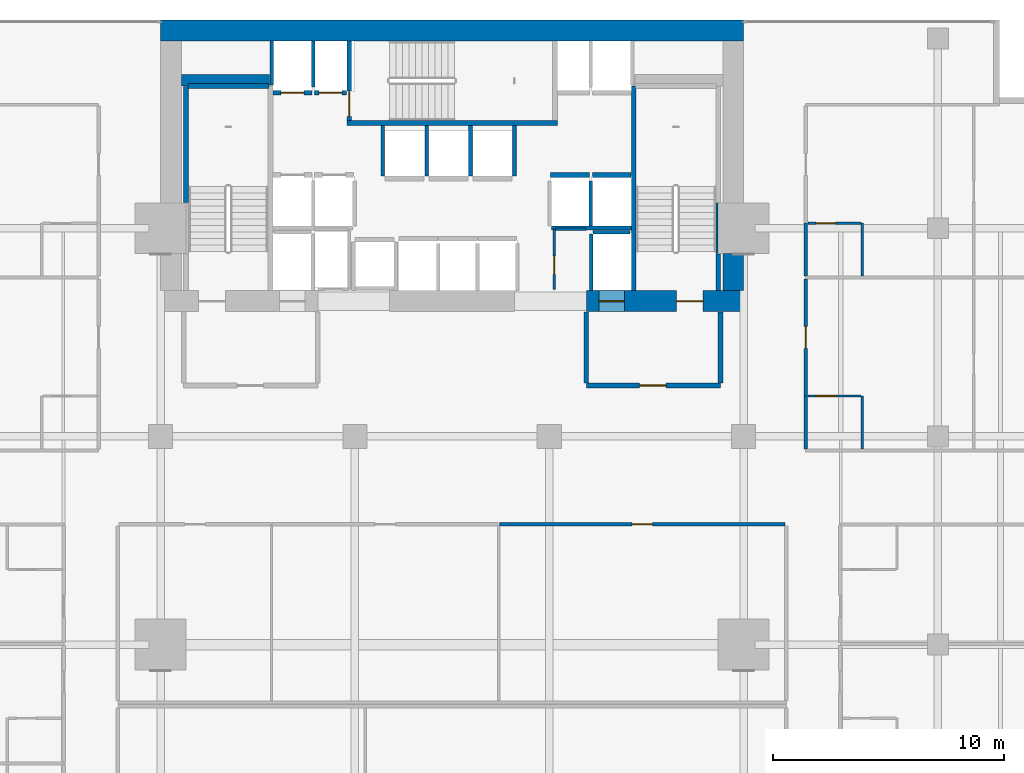
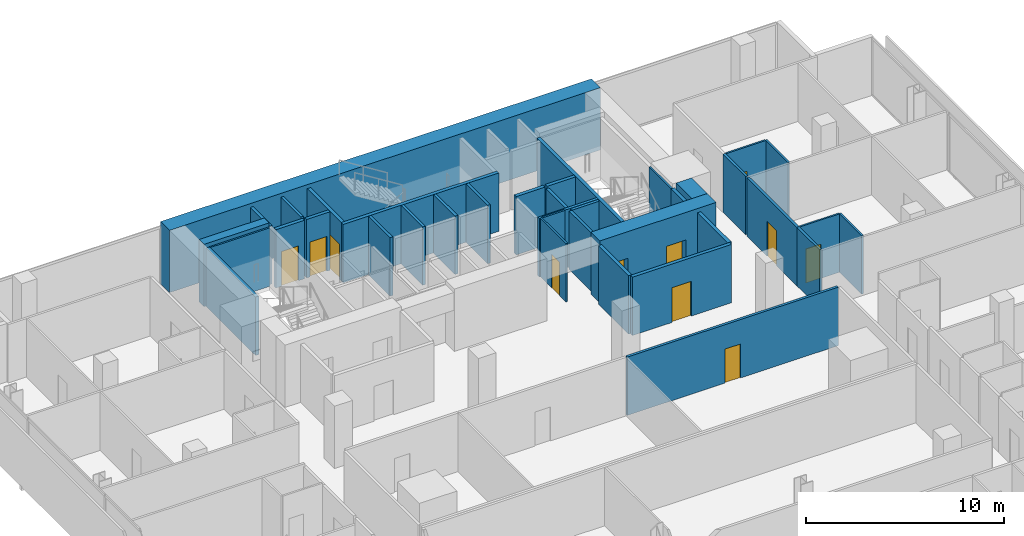
# One storey, part 36 of 39: 38 walls, 11 doors, 11 openings.
"""IFC4 building model written with IfcOpenShell, lengths in metres."""

from ifc_helpers import new_model, si_unit, direction, frame, frame_2d, origin, place, context, subcontext, project, spatial, rectangle, extrude, material, layer, layer_set, type_object, element, fill, save


model = new_model("IFC4")

# Units and contexts
model_context = context("Model", 3, precision=1e-05, world=origin(), true_north=direction((0.0, 1.0)))
body_context = subcontext(model_context, "Body", "Model", "MODEL_VIEW")
ifc_project = project(units=[si_unit("LENGTHUNIT", "METRE"), si_unit("AREAUNIT", "SQUARE_METRE"), si_unit("VOLUMEUNIT", "CUBIC_METRE"), si_unit("PLANEANGLEUNIT", "RADIAN"), si_unit("MASSUNIT", "GRAM", prefix="KILO")], contexts=[model_context])

# Site, building, storey
site_placement = place(None, origin())
site = spatial("IfcSite", under=ifc_project, at=site_placement, CompositionType="ELEMENT")
building_placement = place(site_placement, origin())
building = spatial("IfcBuilding", under=site, at=building_placement, Name="Maruvema Waterfront Hotel and Observation Tower", CompositionType="ELEMENT")
storey_placement = place(building_placement, frame((0.0, 0.0, 46.199951171875)))
storey = spatial("IfcBuildingStorey", under=building, at=storey_placement, Name="L10", CompositionType="ELEMENT", Elevation=46.199951171875)

# Wall, opening, door
ifc_material_1 = material(Name="Twin-stud acoustic gypsum drywall", Category="gypsum")
ifc_layer_1 = layer(ifc_material_1, 0.14990234375, Name="Acoustic Corridor and Suite Demising Wall 150 mm")
ifc_layer_set_1 = layer_set([ifc_layer_1], Name="Twin-stud acoustic gypsum drywall")
wall_type_1 = type_object("IfcWallType", Name="Acoustic Corridor and Suite Demising Wall 150 mm", PredefinedType="PARTITIONING", material=ifc_layer_set_1)
wall_1_placement = place(storey_placement, frame((39.85302734375, 32.199951171875, 0.0), z_axis=(0.0, 0.0, 1.0), x_axis=(1.0, 0.0, 0.0)))
wall_1 = element("IfcWall", 1, at=wall_1_placement, inside=storey, type_object=wall_type_1, Name="L10 L10-INTN Front 3 019", PredefinedType="PARTITIONING", context=body_context, shape_type="SweptSolid", body=[
    extrude(rectangle(XDim=12.3369140625, YDim=0.14990234375, at=frame_2d((6.16845703125, 0.0))), origin(), (0.0, 0.0, 1.0), 3.610107421875),
])
opening_1_placement = place(wall_1_placement, frame((5.718505859375, 0.0, 0.0)))
opening_1 = element("IfcOpeningElement", 2, at=opening_1_placement, cuts=wall_1, Name="Opening DR-090", PredefinedType="OPENING", context=body_context, shape_type="SweptSolid", body=[
    extrude(rectangle(XDim=0.89990234375, YDim=2.10009765625, at=frame_2d((0.449951171875, 1.050048828125))), frame((0.0, 0.0849609375, 0.0), z_axis=(0.0, -1.0, 0.0), x_axis=(1.0, 0.0, 0.0)), (0.0, 0.0, 1.0), 0.169921875),
])
ifc_material_2 = material(Name="Solid-core lacquered timber leaf", Category="wood")
door_type_1 = type_object("IfcDoorType", Name="Accessible Toilet and Room Door 900x2100 mm", OperationType="NOTDEFINED", PredefinedType="DOOR", material=ifc_material_2)
door_1_placement = place(opening_1_placement, origin())
door_1 = element("IfcDoor", 3, at=door_1_placement, inside=storey, type_object=door_type_1, Name="L10 Butler Kitchenette Door", OperationType="SINGLE_SWING_LEFT", OverallHeight=2.10009765625, OverallWidth=0.89990234375, PredefinedType="DOOR", context=body_context, shape_type="SweptSolid", body=[
    extrude(rectangle(XDim=0.89990234375, YDim=2.10009765625, at=frame_2d((0.449951171875, 1.050048828125))), frame((0.0, 0.02490234375, 0.0), z_axis=(0.0, -1.0, 0.0), x_axis=(1.0, 0.0, 0.0)), (0.0, 0.0, 1.0), 0.050048828125),
])
fill(opening_1, door_1)

# Wall
wall_2_placement = place(storey_placement, frame((53.080078125, 35.4599609375, 0.0), z_axis=(0.0, 0.0, 1.0), x_axis=(0.0, 1.0, 0.0)))
element("IfcWall", 4, at=wall_2_placement, inside=storey, type_object=wall_type_1, Name="L10 Bath L10-NE1 Wall 096", PredefinedType="PARTITIONING", context=body_context, shape_type="SweptSolid", body=[
    extrude(rectangle(XDim=2.2900390625, YDim=0.14990234375, at=frame_2d((1.14501953125, 0.0))), origin(), (0.0, 0.0, 1.0), 3.610107421875),
])

# Wall, opening, door
wall_3_placement = place(storey_placement, frame((53.080078125, 37.75, 0.0), z_axis=(0.0, 0.0, 1.0), x_axis=(0.0, 1.0, 0.0)))
wall_3 = element("IfcWall", 5, at=wall_3_placement, inside=storey, type_object=wall_type_1, Name="L10 Room L10-NE1 Corridor Wall 097", PredefinedType="PARTITIONING", context=body_context, shape_type="SweptSolid", body=[
    extrude(rectangle(XDim=5.05859375, YDim=0.14990234375, at=frame_2d((2.529296875, 0.0))), origin(), (0.0, 0.0, 1.0), 3.610107421875),
])
opening_2_placement = place(wall_3_placement, frame((2.054443359375, 0.0, 0.0)))
opening_2 = element("IfcOpeningElement", 6, at=opening_2_placement, cuts=wall_3, Name="Opening DR-095", PredefinedType="OPENING", context=body_context, shape_type="SweptSolid", body=[
    extrude(rectangle(XDim=0.949951171875, YDim=2.14990234375, at=frame_2d((0.47509765625, 1.074951171875))), frame((0.0, 0.0849609375, 0.0), z_axis=(0.0, -1.0, 0.0), x_axis=(1.0, 0.0, 0.0)), (0.0, 0.0, 1.0), 0.169921875),
])
ifc_material_3 = material(Name="Acoustic solid-core hardwood timber leaf", Category="wood")
door_type_2 = type_object("IfcDoorType", Name="Guestroom Entrance Fire Door 950x2150 mm", OperationType="NOTDEFINED", PredefinedType="DOOR", material=ifc_material_3)
door_2_placement = place(opening_2_placement, frame((0.949951171875, 0.0, 0.0), z_axis=(0.0, 0.0, 1.0), x_axis=(-1.0, 0.0, 0.0)))
door_2 = element("IfcDoor", 7, at=door_2_placement, inside=storey, type_object=door_type_2, Name="L10 Room L10-NE1 Entrance Door", OperationType="SINGLE_SWING_RIGHT", OverallHeight=2.14990234375, OverallWidth=0.949951171875, PredefinedType="DOOR", context=body_context, shape_type="SweptSolid", body=[
    extrude(rectangle(XDim=0.949951171875, YDim=2.14990234375, at=frame_2d((0.47509765625, 1.074951171875))), frame((0.0, 0.02490234375, 0.0), z_axis=(0.0, -1.0, 0.0), x_axis=(1.0, 0.0, 0.0)), (0.0, 0.0, 1.0), 0.050048828125),
])
fill(opening_2, door_2)

# Walls
wall_4_placement = place(storey_placement, frame((53.080078125, 42.9287109375, 0.0), z_axis=(0.0, 0.0, 1.0), x_axis=(0.0, 1.0, 0.0)))
element("IfcWall", 8, at=wall_4_placement, inside=storey, type_object=wall_type_1, Name="L10 Bath L10-NE2 Wall 108", PredefinedType="PARTITIONING", context=body_context, shape_type="SweptSolid", body=[
    extrude(rectangle(XDim=2.2900390625, YDim=0.14990234375, at=frame_2d((1.14501953125, 0.0))), origin(), (0.0, 0.0, 1.0), 3.610107421875),
])
ifc_material_4 = material(Name="Precast concrete C45/55", Category="concrete")
ifc_layer_2 = layer(ifc_material_4, 0.199951171875, Name="Core Shaft and Stairwell Enclosure Wall 200 mm")
ifc_layer_set_2 = layer_set([ifc_layer_2], Name="Precast concrete C45/55")
wall_type_2 = type_object("IfcWallType", Name="Core Shaft and Stairwell Enclosure Wall 200 mm", PredefinedType="SOLIDWALL", material=ifc_layer_set_2)
wall_5_placement = place(storey_placement, frame((26.300048828125, 46.1201171875, 0.0), z_axis=(0.0, 0.0, 1.0), x_axis=(0.0, 1.0, 0.0)))
element("IfcWall", 9, at=wall_5_placement, inside=storey, type_object=wall_type_2, Name="L10 Stairwell ST-01 Shaft Lining Wall", PredefinedType="SOLIDWALL", context=body_context, shape_type="SweptSolid", body=[
    extrude(rectangle(XDim=5.0, YDim=0.199951171875, at=frame_2d((2.5, 0.0))), origin(), (0.0, 0.0, 1.0), 3.610107421875),
])
wall_6_placement = place(storey_placement, frame((26.3798828125, 51.14990234375, 0.0), z_axis=(0.0, 0.0, 1.0), x_axis=(1.0, 0.0, 0.0)))
element("IfcWall", 10, at=wall_6_placement, inside=storey, type_object=wall_type_2, Name="L10 Stairwell ST-01 Shaft Lining Wall", PredefinedType="SOLIDWALL", context=body_context, shape_type="SweptSolid", body=[
    extrude(rectangle(XDim=3.5, YDim=0.199951171875, at=frame_2d((1.75, 0.0))), origin(), (0.0, 0.0, 1.0), 3.610107421875),
])
wall_7_placement = place(storey_placement, frame((33.25, 49.550048828125, 0.0), z_axis=(0.0, 0.0, 1.0), x_axis=(1.0, 0.0, 0.0)))
element("IfcWall", 11, at=wall_7_placement, inside=storey, type_object=wall_type_2, Name="L10 Stairwell ST-02 Shaft Wall", PredefinedType="SOLIDWALL", context=body_context, shape_type="SweptSolid", body=[
    extrude(rectangle(XDim=9.10009765625, YDim=0.199951171875, at=frame_2d((4.550048828125, 0.0))), origin(), (0.0, 0.0, 1.0), 3.610107421875),
])

# Wall, opening, door
wall_8_placement = place(storey_placement, frame((33.35009765625, 49.64990234375, 0.0), z_axis=(0.0, 0.0, 1.0), x_axis=(0.0, 1.0, 0.0)))
wall_8 = element("IfcWall", 12, at=wall_8_placement, inside=storey, type_object=wall_type_2, Name="L10 Stairwell ST-02 Shaft Wall", PredefinedType="SOLIDWALL", context=body_context, shape_type="SweptSolid", body=[
    extrude(rectangle(XDim=3.4501953125, YDim=0.199951171875, at=frame_2d((1.72509765625, 0.0))), origin(), (0.0, 0.0, 1.0), 3.610107421875),
])
opening_3_placement = place(wall_8_placement, frame((0.179931640625, 0.0, 0.0)))
opening_3 = element("IfcOpeningElement", 13, at=opening_3_placement, cuts=wall_8, Name="Opening SD-02", PredefinedType="OPENING", context=body_context, shape_type="SweptSolid", body=[
    extrude(rectangle(XDim=1.10009765625, YDim=2.14990234375, at=frame_2d((0.550048828125, 1.074951171875))), frame((0.0, 0.10986328125, 0.0), z_axis=(0.0, -1.0, 0.0), x_axis=(1.0, 0.0, 0.0)), (0.0, 0.0, 1.0), 0.219970703125),
])
ifc_material_5 = material(Name="Fire-rated galvanised steel leaf", Category="steel")
door_type_3 = type_object("IfcDoorType", Name="Central Exit Stair Fire Door 1100x2150 mm", OperationType="NOTDEFINED", PredefinedType="DOOR", material=ifc_material_5)
door_3_placement = place(opening_3_placement, frame((1.10009765625, 0.0, 0.0), z_axis=(0.0, 0.0, 1.0), x_axis=(-1.0, 0.0, 0.0)))
door_3 = element("IfcDoor", 14, at=door_3_placement, inside=storey, type_object=door_type_3, Name="L10 Exit Stair ST-02 Fire Door", OperationType="SINGLE_SWING_LEFT", OverallHeight=2.14990234375, OverallWidth=1.10009765625, PredefinedType="DOOR", context=body_context, shape_type="SweptSolid", body=[
    extrude(rectangle(XDim=1.10009765625, YDim=2.14990234375, at=frame_2d((0.550048828125, 1.074951171875))), frame((0.0, 0.02490234375, 0.0), z_axis=(0.0, -1.0, 0.0), x_axis=(1.0, 0.0, 0.0)), (0.0, 0.0, 1.0), 0.050048828125),
])
fill(opening_3, door_3)

# Walls
wall_9_placement = place(storey_placement, frame((45.64990234375, 42.300048828125, 0.0), z_axis=(0.0, 0.0, 1.0), x_axis=(0.0, 1.0, 0.0)))
element("IfcWall", 15, at=wall_9_placement, inside=storey, type_object=wall_type_2, Name="L10 Stairwell ST-03 West Shaft Wall", PredefinedType="SOLIDWALL", context=body_context, shape_type="SweptSolid", body=[
    extrude(rectangle(XDim=8.849853515625, YDim=0.199951171875, at=frame_2d((4.4248046875, 0.0))), origin(), (0.0, 0.0, 1.0), 3.610107421875),
])
wall_10_placement = place(storey_placement, frame((49.300048828125, 42.300048828125, 0.0), z_axis=(0.0, 0.0, 1.0), x_axis=(0.0, 1.0, 0.0)))
element("IfcWall", 16, at=wall_10_placement, inside=storey, type_object=wall_type_2, Name="L10 Stairwell ST-03 Shaft Lining Wall", PredefinedType="SOLIDWALL", context=body_context, shape_type="SweptSolid", body=[
    extrude(rectangle(XDim=1.579833984375, YDim=0.199951171875, at=frame_2d((0.7900390625, 0.0))), origin(), (0.0, 0.0, 1.0), 3.610107421875),
])

# Wall, opening, door
wall_11_placement = place(storey_placement, frame((30.06005859375, 50.85009765625, 0.0), z_axis=(0.0, 0.0, 1.0), x_axis=(1.0, 0.0, 0.0)))
wall_11 = element("IfcWall", 17, at=wall_11_placement, inside=storey, type_object=wall_type_2, Name="L10 Lift LF-03 Hoistway Front Wall", PredefinedType="SOLIDWALL", context=body_context, shape_type="SweptSolid", body=[
    extrude(rectangle(XDim=1.679931640625, YDim=0.199951171875, at=frame_2d((0.83984375, 0.0))), origin(), (0.0, 0.0, 1.0), 3.610107421875),
])
opening_4_placement = place(wall_11_placement, frame((0.340087890625, 0.0, 0.0)))
opening_4 = element("IfcOpeningElement", 18, at=opening_4_placement, cuts=wall_11, Name="Opening LD-01", PredefinedType="OPENING", context=body_context, shape_type="SweptSolid", body=[
    extrude(rectangle(XDim=1.0, YDim=2.14990234375, at=frame_2d((0.5, 1.074951171875))), frame((0.0, 0.10986328125, 0.0), z_axis=(0.0, -1.0, 0.0), x_axis=(1.0, 0.0, 0.0)), (0.0, 0.0, 1.0), 0.219970703125),
])
ifc_material_6 = material(Name="Brushed stainless steel Grade 316", Category="steel")
door_type_4 = type_object("IfcDoorType", Name="Passenger Lift Sliding Landing Door 1000x2150 mm", OperationType="SLIDING_TO_LEFT", PredefinedType="DOOR", material=ifc_material_6)
door_4_placement = place(opening_4_placement, frame((1.0, 0.0, 0.0), z_axis=(0.0, 0.0, 1.0), x_axis=(-1.0, 0.0, 0.0)))
door_4 = element("IfcDoor", 19, at=door_4_placement, inside=storey, type_object=door_type_4, Name="L10 Lift LF-03 Sliding Landing Door", OperationType="SLIDING_TO_LEFT", OverallHeight=2.14990234375, OverallWidth=1.0, PredefinedType="DOOR", context=body_context, shape_type="SweptSolid", body=[
    extrude(rectangle(XDim=1.0, YDim=2.14990234375, at=frame_2d((0.5, 1.074951171875))), frame((0.0, 0.02490234375, 0.0), z_axis=(0.0, -1.0, 0.0), x_axis=(1.0, 0.0, 0.0)), (0.0, 0.0, 1.0), 0.050048828125),
])
fill(opening_4, door_4)

wall_12_placement = place(storey_placement, frame((31.860107421875, 50.85009765625, 0.0), z_axis=(0.0, 0.0, 1.0), x_axis=(1.0, 0.0, 0.0)))
wall_12 = element("IfcWall", 20, at=wall_12_placement, inside=storey, type_object=wall_type_2, Name="L10 Lift LF-04 Hoistway Front Wall", PredefinedType="SOLIDWALL", context=body_context, shape_type="SweptSolid", body=[
    extrude(rectangle(XDim=1.3798828125, YDim=0.199951171875, at=frame_2d((0.68994140625, 0.0))), origin(), (0.0, 0.0, 1.0), 3.610107421875),
])
opening_5_placement = place(wall_12_placement, frame((0.18994140625, 0.0, 0.0)))
opening_5 = element("IfcOpeningElement", 21, at=opening_5_placement, cuts=wall_12, Name="Opening LD-01", PredefinedType="OPENING", context=body_context, shape_type="SweptSolid", body=[
    extrude(rectangle(XDim=1.0, YDim=2.14990234375, at=frame_2d((0.5, 1.074951171875))), frame((0.0, 0.10986328125, 0.0), z_axis=(0.0, -1.0, 0.0), x_axis=(1.0, 0.0, 0.0)), (0.0, 0.0, 1.0), 0.219970703125),
])
door_5_placement = place(opening_5_placement, frame((1.0, 0.0, 0.0), z_axis=(0.0, 0.0, 1.0), x_axis=(-1.0, 0.0, 0.0)))
door_5 = element("IfcDoor", 22, at=door_5_placement, inside=storey, type_object=door_type_4, Name="L10 Lift LF-04 Sliding Landing Door", OperationType="SLIDING_TO_LEFT", OverallHeight=2.14990234375, OverallWidth=1.0, PredefinedType="DOOR", context=body_context, shape_type="SweptSolid", body=[
    extrude(rectangle(XDim=1.0, YDim=2.14990234375, at=frame_2d((0.5, 1.074951171875))), frame((0.0, 0.02490234375, 0.0), z_axis=(0.0, -1.0, 0.0), x_axis=(1.0, 0.0, 0.0)), (0.0, 0.0, 1.0), 0.050048828125),
])
fill(opening_5, door_5)

# Walls
for number, where, z_axis, x_axis, name in (
    (23, (42.06005859375, 47.300048828125, 0.0), (0.0, 0.0, 1.0), (1.0, 0.0, 0.0), "L10 Lift LF-05 Hoistway Front Wall"),
    (24, (43.860107421875, 47.300048828125, 0.0), (0.0, 0.0, 1.0), (1.0, 0.0, 0.0), "L10 Lift LF-06 Hoistway Front Wall"),
):
    element("IfcWall", number, at=place(storey_placement, frame(where, z_axis=z_axis, x_axis=x_axis)), inside=storey, type_object=wall_type_2, Name=name, PredefinedType="SOLIDWALL", context=body_context, shape_type="SweptSolid", body=[
        extrude(rectangle(XDim=1.679931640625, YDim=0.199951171875, at=frame_2d((0.83984375, 0.0))), origin(), (0.0, 0.0, 1.0), 3.610107421875),
    ])
ifc_material_7 = material(Name="Concrete C70/85", Category="concrete")
ifc_layer_3 = layer(ifc_material_7, 0.5, Name="Core Shear Wall 500 mm")
ifc_layer_set_3 = layer_set([ifc_layer_3], Name="Concrete C70/85")
wall_type_3 = type_object("IfcWallType", Name="Core Shear Wall 500 mm", PredefinedType="SHEAR", material=ifc_layer_set_3)
wall_13_placement = place(storey_placement, frame((26.10009765625, 51.39990234375, 0.0), z_axis=(0.0, 0.0, 1.0), x_axis=(1.0, 0.0, 0.0)))
element("IfcWall", 25, at=wall_13_placement, inside=storey, type_object=wall_type_3, Name="L10 Internal Core Shear Wall NW 500 mm", PredefinedType="SHEAR", context=body_context, shape_type="SweptSolid", body=[
    extrude(rectangle(XDim=3.7998046875, YDim=0.5, at=frame_2d((1.89990234375, 0.0))), origin(), (0.0, 0.0, 1.0), 3.85009765625),
])
ifc_material_8 = material(Name="Concrete C80/95", Category="concrete")
ifc_layer_4 = layer(ifc_material_8, 0.89990234375, Name="Core Shear Wall 900 mm")
ifc_layer_set_4 = layer_set([ifc_layer_4], Name="Concrete C80/95")
wall_type_4 = type_object("IfcWallType", Name="Core Shear Wall 900 mm", PredefinedType="SHEAR", material=ifc_layer_set_4)
wall_14_placement = place(storey_placement, frame((25.199951171875, 53.550048828125, 0.0), z_axis=(0.0, 0.0, 1.0), x_axis=(1.0, 0.0, 0.0)))
element("IfcWall", 26, at=wall_14_placement, inside=storey, type_object=wall_type_4, Name="L10 North Core Shear Wall", PredefinedType="SHEAR", context=body_context, shape_type="SweptSolid", body=[
    extrude(rectangle(XDim=25.199951171875, YDim=0.89990234375, at=frame_2d((12.60009765625, 0.0))), origin(), (0.0, 0.0, 1.0), 3.85009765625),
])

# Wall, openings, doors
wall_15_placement = place(storey_placement, frame((43.60009765625, 41.85009765625, 0.0), z_axis=(0.0, 0.0, 1.0), x_axis=(1.0, 0.0, 0.0)))
wall_15 = element("IfcWall", 27, at=wall_15_placement, inside=storey, type_object=wall_type_4, Name="L10 South-East Core Shear Wall", PredefinedType="SHEAR", context=body_context, shape_type="SweptSolid", body=[
    extrude(rectangle(XDim=6.7998046875, YDim=0.89990234375, at=frame_2d((3.39990234375, 0.0))), origin(), (0.0, 0.0, 1.0), 3.85009765625),
])
opening_6_placement = place(wall_15_placement, frame((3.89990234375, 0.0, 0.0)))
opening_6 = element("IfcOpeningElement", 28, at=opening_6_placement, cuts=wall_15, Name="Opening SD-01", PredefinedType="OPENING", context=body_context, shape_type="SweptSolid", body=[
    extrude(rectangle(XDim=1.14990234375, YDim=2.14990234375, at=frame_2d((0.574951171875, 1.074951171875))), frame((0.0, 0.4599609375, 0.0), z_axis=(0.0, -1.0, 0.0), x_axis=(1.0, 0.0, 0.0)), (0.0, 0.0, 1.0), 0.919921875),
])
opening_7_placement = place(wall_15_placement, frame((0.550048828125, 0.0, 0.0)))
opening_7 = element("IfcOpeningElement", 29, at=opening_7_placement, cuts=wall_15, Name="Opening LD-03", PredefinedType="OPENING", context=body_context, shape_type="SweptSolid", body=[
    extrude(rectangle(XDim=1.10009765625, YDim=2.199951171875, at=frame_2d((0.550048828125, 1.10009765625))), frame((0.0, 0.4599609375, 0.0), z_axis=(0.0, -1.0, 0.0), x_axis=(1.0, 0.0, 0.0)), (0.0, 0.0, 1.0), 0.919921875),
])
ifc_material_9 = material(Name="Fire-rated galvanised steel leaf", Category="steel")
door_type_5 = type_object("IfcDoorType", Name="Exit Stair Fire Door 1150x2150 mm", OperationType="NOTDEFINED", PredefinedType="DOOR", material=ifc_material_9)
door_6_placement = place(opening_6_placement, origin())
door_6 = element("IfcDoor", 30, at=door_6_placement, inside=storey, type_object=door_type_5, Name="L10 Exit Stair ST-03 Fire Door", OperationType="SINGLE_SWING_RIGHT", OverallHeight=2.14990234375, OverallWidth=1.14990234375, PredefinedType="DOOR", context=body_context, shape_type="SweptSolid", body=[
    extrude(rectangle(XDim=1.14990234375, YDim=2.14990234375, at=frame_2d((0.574951171875, 1.074951171875))), frame((0.0, 0.02490234375, 0.0), z_axis=(0.0, -1.0, 0.0), x_axis=(1.0, 0.0, 0.0)), (0.0, 0.0, 1.0), 0.050048828125),
])
fill(opening_6, door_6)
ifc_material_10 = material(Name="Brushed stainless steel Grade 316", Category="steel")
door_type_6 = type_object("IfcDoorType", Name="Firefighting Lift Sliding Landing Door 1100x2200 mm", OperationType="SLIDING_TO_LEFT", PredefinedType="DOOR", material=ifc_material_10)
door_7_placement = place(opening_7_placement, frame((1.10009765625, 0.0, 0.0), z_axis=(0.0, 0.0, 1.0), x_axis=(-1.0, 0.0, 0.0)))
door_7 = element("IfcDoor", 31, at=door_7_placement, inside=storey, type_object=door_type_6, Name="L10 Firefighting Lift FL-02 Landing Door", OperationType="SLIDING_TO_LEFT", OverallHeight=2.199951171875, OverallWidth=1.10009765625, PredefinedType="DOOR", context=body_context, shape_type="SweptSolid", body=[
    extrude(rectangle(XDim=1.10009765625, YDim=2.199951171875, at=frame_2d((0.550048828125, 1.10009765625))), frame((0.0, 0.02490234375, 0.0), z_axis=(0.0, -1.0, 0.0), x_axis=(1.0, 0.0, 0.0)), (0.0, 0.0, 1.0), 0.050048828125),
])
fill(opening_7, door_7)

# Wall
wall_16_placement = place(storey_placement, frame((49.949951171875, 42.300048828125, 0.0), z_axis=(0.0, 0.0, 1.0), x_axis=(0.0, 1.0, 0.0)))
element("IfcWall", 32, at=wall_16_placement, inside=storey, type_object=wall_type_4, Name="L10 East-South Core Shear Wall", PredefinedType="SHEAR", context=body_context, shape_type="SweptSolid", body=[
    extrude(rectangle(XDim=1.599853515625, YDim=0.89990234375, at=frame_2d((0.7998046875, 0.0))), origin(), (0.0, 0.0, 1.0), 3.85009765625),
])

# Wall, opening, door
ifc_material_11 = material(Name="Moisture-resistant cement-board drywall", Category="gypsum")
ifc_layer_5 = layer(ifc_material_11, 0.10009765625, Name="En-Suite Moisture-Resistant Partition 100 mm")
ifc_layer_set_5 = layer_set([ifc_layer_5], Name="Moisture-resistant cement-board drywall")
wall_type_5 = type_object("IfcWallType", Name="En-Suite Moisture-Resistant Partition 100 mm", PredefinedType="PARTITIONING", material=ifc_layer_set_5)
wall_17_placement = place(storey_placement, frame((42.219970703125, 42.35009765625, 0.0), z_axis=(0.0, 0.0, 1.0), x_axis=(0.0, 1.0, 0.0)))
wall_17 = element("IfcWall", 33, at=wall_17_placement, inside=storey, type_object=wall_type_5, Name="L10 Core Closet K1 West 010", PredefinedType="PARTITIONING", context=body_context, shape_type="SweptSolid", body=[
    extrude(rectangle(XDim=2.60986328125, YDim=0.10009765625, at=frame_2d((1.304931640625, 0.0))), origin(), (0.0, 0.0, 1.0), 3.610107421875),
])
opening_8_placement = place(wall_17_placement, frame((0.64990234375, 0.0, 0.0)))
opening_8 = element("IfcOpeningElement", 34, at=opening_8_placement, cuts=wall_17, Name="Opening DR-080", PredefinedType="OPENING", context=body_context, shape_type="SweptSolid", body=[
    extrude(rectangle(XDim=0.800048828125, YDim=2.050048828125, at=frame_2d((0.39990234375, 1.02490234375))), frame((0.0, 0.06005859375, 0.0), z_axis=(0.0, -1.0, 0.0), x_axis=(1.0, 0.0, 0.0)), (0.0, 0.0, 1.0), 0.1201171875),
])
ifc_material_12 = material(Name="Powder-coated steel access leaf", Category="steel")
door_type_7 = type_object("IfcDoorType", Name="Riser and Service Cupboard Door 800x2050 mm", OperationType="NOTDEFINED", PredefinedType="DOOR", material=ifc_material_12)
door_8_placement = place(opening_8_placement, frame((0.800048828125, 0.0, 0.0), z_axis=(0.0, 0.0, 1.0), x_axis=(-1.0, 0.0, 0.0)))
door_8 = element("IfcDoor", 35, at=door_8_placement, inside=storey, type_object=door_type_7, Name="L10 Core Cleaning Store Door", OperationType="SINGLE_SWING_RIGHT", OverallHeight=2.050048828125, OverallWidth=0.800048828125, PredefinedType="DOOR", context=body_context, shape_type="SweptSolid", body=[
    extrude(rectangle(XDim=0.800048828125, YDim=2.050048828125, at=frame_2d((0.39990234375, 1.02490234375))), frame((0.0, 0.02490234375, 0.0), z_axis=(0.0, -1.0, 0.0), x_axis=(1.0, 0.0, 0.0)), (0.0, 0.0, 1.0), 0.050048828125),
])
fill(opening_8, door_8)

# Walls
wall_18_placement = place(storey_placement, frame((42.280029296875, 44.9599609375, 0.0), z_axis=(0.0, 0.0, 1.0), x_axis=(1.0, 0.0, 0.0)))
element("IfcWall", 36, at=wall_18_placement, inside=storey, type_object=wall_type_5, Name="L10 Core Closet K1 North 011", PredefinedType="PARTITIONING", context=body_context, shape_type="SweptSolid", body=[
    extrude(rectangle(XDim=1.300048828125, YDim=0.10009765625, at=frame_2d((0.64990234375, 0.0))), origin(), (0.0, 0.0, 1.0), 3.610107421875),
])
wall_19_placement = place(storey_placement, frame((55.530029296875, 35.4599609375, 0.0), z_axis=(0.0, 0.0, 1.0), x_axis=(0.0, 1.0, 0.0)))
element("IfcWall", 37, at=wall_19_placement, inside=storey, type_object=wall_type_5, Name="L10 En-Suite L10-NE1 E 098", PredefinedType="PARTITIONING", context=body_context, shape_type="SweptSolid", body=[
    extrude(rectangle(XDim=2.2900390625, YDim=0.10009765625, at=frame_2d((1.14501953125, 0.0))), origin(), (0.0, 0.0, 1.0), 3.610107421875),
])

# Wall, opening, door
wall_20_placement = place(storey_placement, frame((53.179931640625, 37.75, 0.0), z_axis=(0.0, 0.0, 1.0), x_axis=(1.0, 0.0, 0.0)))
wall_20 = element("IfcWall", 38, at=wall_20_placement, inside=storey, type_object=wall_type_5, Name="L10 En-Suite L10-NE1 N 099", PredefinedType="PARTITIONING", context=body_context, shape_type="SweptSolid", body=[
    extrude(rectangle(XDim=2.300048828125, YDim=0.10009765625, at=frame_2d((1.14990234375, 0.0))), origin(), (0.0, 0.0, 1.0), 3.610107421875),
])
opening_9_placement = place(wall_20_placement, frame((0.35009765625, 0.0, 0.0)))
opening_9 = element("IfcOpeningElement", 39, at=opening_9_placement, cuts=wall_20, Name="Opening DR-085", PredefinedType="OPENING", context=body_context, shape_type="SweptSolid", body=[
    extrude(rectangle(XDim=0.85009765625, YDim=2.10009765625, at=frame_2d((0.425048828125, 1.050048828125))), frame((0.0, 0.06005859375, 0.0), z_axis=(0.0, -1.0, 0.0), x_axis=(1.0, 0.0, 0.0)), (0.0, 0.0, 1.0), 0.1201171875),
])
ifc_material_13 = material(Name="Moisture-resistant solid timber leaf", Category="wood")
door_type_8 = type_object("IfcDoorType", Name="En-Suite Bathroom Door 850x2100 mm", OperationType="NOTDEFINED", PredefinedType="DOOR", material=ifc_material_13)
door_9_placement = place(opening_9_placement, origin())
door_9 = element("IfcDoor", 40, at=door_9_placement, inside=storey, type_object=door_type_8, Name="L10 En-Suite L10-NE1 Door", OperationType="SINGLE_SWING_LEFT", OverallHeight=2.10009765625, OverallWidth=0.85009765625, PredefinedType="DOOR", context=body_context, shape_type="SweptSolid", body=[
    extrude(rectangle(XDim=0.85009765625, YDim=2.10009765625, at=frame_2d((0.425048828125, 1.050048828125))), frame((0.0, 0.02490234375, 0.0), z_axis=(0.0, -1.0, 0.0), x_axis=(1.0, 0.0, 0.0)), (0.0, 0.0, 1.0), 0.050048828125),
])
fill(opening_9, door_9)

# Wall
wall_21_placement = place(storey_placement, frame((55.530029296875, 42.9287109375, 0.0), z_axis=(0.0, 0.0, 1.0), x_axis=(0.0, 1.0, 0.0)))
element("IfcWall", 41, at=wall_21_placement, inside=storey, type_object=wall_type_5, Name="L10 En-Suite L10-NE2 E 110", PredefinedType="PARTITIONING", context=body_context, shape_type="SweptSolid", body=[
    extrude(rectangle(XDim=2.2900390625, YDim=0.10009765625, at=frame_2d((1.14501953125, 0.0))), origin(), (0.0, 0.0, 1.0), 3.610107421875),
])

# Wall, opening, door
wall_22_placement = place(storey_placement, frame((53.179931640625, 45.21875, 0.0), z_axis=(0.0, 0.0, 1.0), x_axis=(1.0, 0.0, 0.0)))
wall_22 = element("IfcWall", 42, at=wall_22_placement, inside=storey, type_object=wall_type_5, Name="L10 En-Suite L10-NE2 N 111", PredefinedType="PARTITIONING", context=body_context, shape_type="SweptSolid", body=[
    extrude(rectangle(XDim=2.300048828125, YDim=0.10009765625, at=frame_2d((1.14990234375, 0.0))), origin(), (0.0, 0.0, 1.0), 3.610107421875),
])
opening_10_placement = place(wall_22_placement, frame((0.35009765625, 0.0, 0.0)))
opening_10 = element("IfcOpeningElement", 43, at=opening_10_placement, cuts=wall_22, Name="Opening DR-085", PredefinedType="OPENING", context=body_context, shape_type="SweptSolid", body=[
    extrude(rectangle(XDim=0.85009765625, YDim=2.10009765625, at=frame_2d((0.425048828125, 1.050048828125))), frame((0.0, 0.06005859375, 0.0), z_axis=(0.0, -1.0, 0.0), x_axis=(1.0, 0.0, 0.0)), (0.0, 0.0, 1.0), 0.1201171875),
])
door_10_placement = place(opening_10_placement, origin())
door_10 = element("IfcDoor", 44, at=door_10_placement, inside=storey, type_object=door_type_8, Name="L10 En-Suite L10-NE2 Door", OperationType="SINGLE_SWING_LEFT", OverallHeight=2.10009765625, OverallWidth=0.85009765625, PredefinedType="DOOR", context=body_context, shape_type="SweptSolid", body=[
    extrude(rectangle(XDim=0.85009765625, YDim=2.10009765625, at=frame_2d((0.425048828125, 1.050048828125))), frame((0.0, 0.02490234375, 0.0), z_axis=(0.0, -1.0, 0.0), x_axis=(1.0, 0.0, 0.0)), (0.0, 0.0, 1.0), 0.050048828125),
])
fill(opening_10, door_10)

ifc_material_14 = material(Name="Autoclaved cellular concrete blockwork", Category="masonry")
ifc_layer_6 = layer(ifc_material_14, 0.199951171875, Name="Fire Compartment Masonry Wall 200 mm")
ifc_layer_set_6 = layer_set([ifc_layer_6], Name="Autoclaved cellular concrete blockwork")
wall_type_6 = type_object("IfcWallType", Name="Fire Compartment Masonry Wall 200 mm", PredefinedType="PARTITIONING", material=ifc_layer_set_6)
wall_23_placement = place(storey_placement, frame((43.60009765625, 38.199951171875, 0.0), z_axis=(0.0, 0.0, 1.0), x_axis=(1.0, 0.0, 0.0)))
wall_23 = element("IfcWall", 45, at=wall_23_placement, inside=storey, type_object=wall_type_6, Name="L10 FFL East South Wall 004", PredefinedType="PARTITIONING", context=body_context, shape_type="SweptSolid", body=[
    extrude(rectangle(XDim=5.7998046875, YDim=0.199951171875, at=frame_2d((2.89990234375, 0.0))), origin(), (0.0, 0.0, 1.0), 3.610107421875),
])
opening_11_placement = place(wall_23_placement, frame((2.300048828125, 0.0, 0.0)))
opening_11 = element("IfcOpeningElement", 46, at=opening_11_placement, cuts=wall_23, Name="Opening FD-115", PredefinedType="OPENING", context=body_context, shape_type="SweptSolid", body=[
    extrude(rectangle(XDim=1.14990234375, YDim=2.14990234375, at=frame_2d((0.574951171875, 1.074951171875))), frame((0.0, 0.10986328125, 0.0), z_axis=(0.0, -1.0, 0.0), x_axis=(1.0, 0.0, 0.0)), (0.0, 0.0, 1.0), 0.219970703125),
])
ifc_material_15 = material(Name="Fire-rated galvanised steel and vision glass", Category="steel")
door_type_9 = type_object("IfcDoorType", Name="Firefighting Lobby Fire Door 1150x2150 mm", OperationType="NOTDEFINED", PredefinedType="DOOR", material=ifc_material_15)
door_11_placement = place(opening_11_placement, frame((1.14990234375, 0.0, 0.0), z_axis=(0.0, 0.0, 1.0), x_axis=(-1.0, 0.0, 0.0)))
door_11 = element("IfcDoor", 47, at=door_11_placement, inside=storey, type_object=door_type_9, Name="L10 Firefighting Lobby East Door", OperationType="SINGLE_SWING_RIGHT", OverallHeight=2.14990234375, OverallWidth=1.14990234375, PredefinedType="DOOR", context=body_context, shape_type="SweptSolid", body=[
    extrude(rectangle(XDim=1.14990234375, YDim=2.14990234375, at=frame_2d((0.574951171875, 1.074951171875))), frame((0.0, 0.02490234375, 0.0), z_axis=(0.0, -1.0, 0.0), x_axis=(1.0, 0.0, 0.0)), (0.0, 0.0, 1.0), 0.050048828125),
])
fill(opening_11, door_11)

# Walls
for number, where, z_axis, x_axis, name in (
    (48, (43.60009765625, 38.31005859375, 0.0), (0.0, 0.0, 1.0), (0.0, 1.0, 0.0), "L10 FFL East West Wall 005"),
    (49, (49.39990234375, 38.31005859375, 0.0), (0.0, 0.0, 1.0), (0.0, 1.0, 0.0), "L10 FFL East East Wall 006"),
):
    element("IfcWall", number, at=place(storey_placement, frame(where, z_axis=z_axis, x_axis=x_axis)), inside=storey, type_object=wall_type_6, Name=name, PredefinedType="PARTITIONING", context=body_context, shape_type="SweptSolid", body=[
        extrude(rectangle(XDim=3.06982421875, YDim=0.199951171875, at=frame_2d((1.534912109375, 0.0))), origin(), (0.0, 0.0, 1.0), 3.610107421875),
    ])
ifc_material_16 = material(Name="Precast concrete C45/55", Category="concrete")
ifc_layer_7 = layer(ifc_material_16, 0.159912109375, Name="Lift Hoistway Divider Wall 160 mm")
ifc_layer_set_7 = layer_set([ifc_layer_7], Name="Precast concrete C45/55")
wall_type_7 = type_object("IfcWallType", Name="Lift Hoistway Divider Wall 160 mm", PredefinedType="SOLIDWALL", material=ifc_layer_set_7)
wall_24_placement = place(storey_placement, frame((43.89990234375, 44.830078125, 0.0), z_axis=(0.0, 0.0, 1.0), x_axis=(1.0, 0.0, 0.0)))
element("IfcWall", 50, at=wall_24_placement, inside=storey, type_object=wall_type_7, Name="L10 Lift FL-02 Rear Hoistway Wall", PredefinedType="SOLIDWALL", context=body_context, shape_type="SweptSolid", body=[
    extrude(rectangle(XDim=1.60009765625, YDim=0.159912109375, at=frame_2d((0.800048828125, 0.0))), origin(), (0.0, 0.0, 1.0), 3.610107421875),
])
wall_25_placement = place(storey_placement, frame((43.820068359375, 42.300048828125, 0.0), z_axis=(0.0, 0.0, 1.0), x_axis=(0.0, 1.0, 0.0)))
element("IfcWall", 51, at=wall_25_placement, inside=storey, type_object=wall_type_7, Name="L10 Lift FL-02 Inner Hoistway Wall", PredefinedType="SOLIDWALL", context=body_context, shape_type="SweptSolid", body=[
    extrude(rectangle(XDim=2.43994140625, YDim=0.159912109375, at=frame_2d((1.219970703125, 0.0))), origin(), (0.0, 0.0, 1.0), 3.610107421875),
])
wall_26_placement = place(storey_placement, frame((30.010009765625, 51.179931640625, 0.0), z_axis=(0.0, 0.0, 1.0), x_axis=(0.0, 1.0, 0.0)))
element("IfcWall", 52, at=wall_26_placement, inside=storey, type_object=wall_type_7, Name="L10 Hoistway Divider Wall", PredefinedType="SOLIDWALL", context=body_context, shape_type="SweptSolid", body=[
    extrude(rectangle(XDim=1.920166015625, YDim=0.159912109375, at=frame_2d((0.9599609375, 0.0))), origin(), (0.0, 0.0, 1.0), 3.610107421875),
])
wall_27_placement = place(storey_placement, frame((31.800048828125, 51.10009765625, 0.0), z_axis=(0.0, 0.0, 1.0), x_axis=(0.0, 1.0, 0.0)))
element("IfcWall", 53, at=wall_27_placement, inside=storey, type_object=wall_type_7, Name="L10 Hoistway Divider Wall", PredefinedType="SOLIDWALL", context=body_context, shape_type="SweptSolid", body=[
    extrude(rectangle(XDim=2.0, YDim=0.159912109375, at=frame_2d((1.0, 0.0))), origin(), (0.0, 0.0, 1.0), 3.610107421875),
])
wall_28_placement = place(storey_placement, frame((43.800048828125, 45.10009765625, 0.0), z_axis=(0.0, 0.0, 1.0), x_axis=(0.0, 1.0, 0.0)))
element("IfcWall", 54, at=wall_28_placement, inside=storey, type_object=wall_type_7, Name="L10 Hoistway Divider Wall", PredefinedType="SOLIDWALL", context=body_context, shape_type="SweptSolid", body=[
    extrude(rectangle(XDim=1.949951171875, YDim=0.159912109375, at=frame_2d((0.97509765625, 0.0))), origin(), (0.0, 0.0, 1.0), 3.610107421875),
])
wall_29_placement = place(storey_placement, frame((42.10009765625, 45.010009765625, 0.0), z_axis=(0.0, 0.0, 1.0), x_axis=(1.0, 0.0, 0.0)))
element("IfcWall", 55, at=wall_29_placement, inside=storey, type_object=wall_type_7, Name="L10 Hoistway Divider Wall", PredefinedType="SOLIDWALL", context=body_context, shape_type="SweptSolid", body=[
    extrude(rectangle(XDim=3.449951171875, YDim=0.159912109375, at=frame_2d((1.72509765625, 0.0))), origin(), (0.0, 0.0, 1.0), 3.610107421875),
])
for number, where, z_axis, x_axis, name in (
    (56, (34.800048828125, 47.25, 0.0), (0.0, 0.0, 1.0), (0.0, 1.0, 0.0), "L10 Hoistway Divider Wall"),
    (57, (36.699951171875, 47.25, 0.0), (0.0, 0.0, 1.0), (0.0, 1.0, 0.0), "L10 Hoistway Divider Wall"),
    (58, (38.60009765625, 47.25, 0.0), (0.0, 0.0, 1.0), (0.0, 1.0, 0.0), "L10 Hoistway Divider Wall"),
    (59, (40.5, 47.25, 0.0), (0.0, 0.0, 1.0), (0.0, 1.0, 0.0), "L10 Hoistway Divider Wall"),
):
    element("IfcWall", number, at=place(storey_placement, frame(where, z_axis=z_axis, x_axis=x_axis)), inside=storey, type_object=wall_type_7, Name=name, PredefinedType="SOLIDWALL", context=body_context, shape_type="SweptSolid", body=[
        extrude(rectangle(XDim=2.18994140625, YDim=0.159912109375, at=frame_2d((1.094970703125, 0.0))), origin(), (0.0, 0.0, 1.0), 3.610107421875),
    ])
ifc_material_17 = material(Name="Precast concrete C45/55", Category="concrete")
ifc_layer_8 = layer(ifc_material_17, 0.10009765625, Name="Stairwell Stringer Cheek Wall 100 mm")
ifc_layer_set_8 = layer_set([ifc_layer_8], Name="Precast concrete C45/55")
wall_type_8 = type_object("IfcWallType", Name="Stairwell Stringer Cheek Wall 100 mm", PredefinedType="SOLIDWALL", material=ifc_layer_set_8)
wall_30_placement = place(storey_placement, frame((49.248046875, 43.89990234375, 0.0), z_axis=(0.0, 0.0, 1.0), x_axis=(0.0, 1.0, 0.0)))
element("IfcWall", 60, at=wall_30_placement, inside=storey, type_object=wall_type_8, Name="L10 Stairwell ST-03 Mega-Column Cheek Wall", PredefinedType="SOLIDWALL", context=body_context, shape_type="SweptSolid", body=[
    extrude(rectangle(XDim=2.2001953125, YDim=0.10009765625, at=frame_2d((1.10009765625, 0.0))), origin(), (0.0, 0.0, 1.0), 3.610107421875),
])

save(model, "model.ifc")
